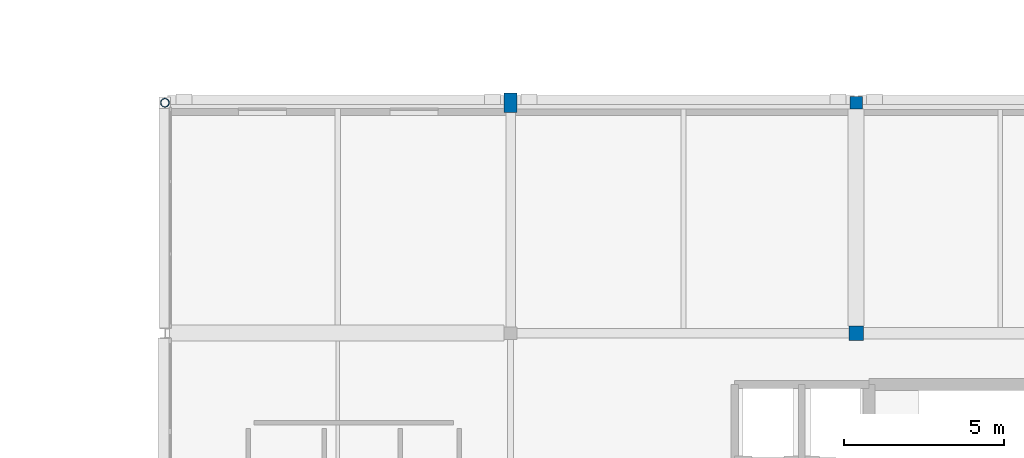
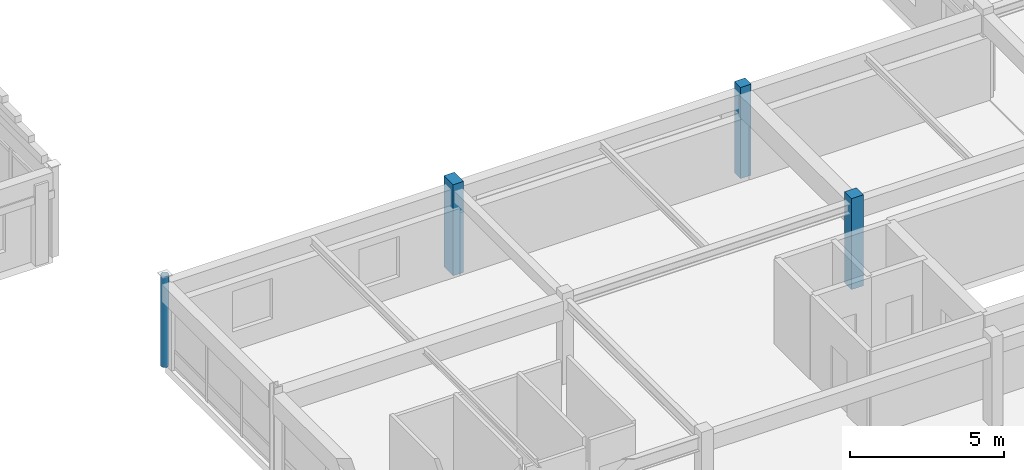
# One storey, part 7 of 52: 4 columns.
"""IFC4 building model written with IfcOpenShell, lengths in metres."""

from ifc_helpers import new_model, si_unit, direction, frame, origin, origin_2d, place, context, subcontext, project, spatial, rectangle, hollow_circle, extrude, material, material_profile, profile_set, type_object, element, save


model = new_model("IFC4")

# Units and contexts
model_context = context("Model", 3, precision=1e-05, world=origin(), true_north=direction((0.0, 1.0)))
body_context = subcontext(model_context, "Body", "Model", "MODEL_VIEW")
ifc_project = project(units=[si_unit("LENGTHUNIT", "METRE"), si_unit("AREAUNIT", "SQUARE_METRE"), si_unit("VOLUMEUNIT", "CUBIC_METRE"), si_unit("PLANEANGLEUNIT", "RADIAN"), si_unit("MASSUNIT", "GRAM", prefix="KILO")], contexts=[model_context])

# Site, building, storey
site_placement = place(None, origin())
site = spatial("IfcSite", under=ifc_project, at=site_placement, CompositionType="ELEMENT")
building_placement = place(site_placement, origin())
building = spatial("IfcBuilding", under=site, at=building_placement, Name="Clarverna Civic Hall", CompositionType="ELEMENT")
storey_placement = place(building_placement, frame((0.0, 0.0, 16.800048828125)))
storey = spatial("IfcBuildingStorey", under=building, at=storey_placement, Name="L04", CompositionType="ELEMENT", Elevation=16.800048828125)

# Columns
ifc_material_1 = material(Name="Concrete C35/45", Category="concrete")
ifc_material_profile_1 = material_profile(ifc_material_1, rectangle(XDim=0.449951171875, YDim=0.449951171875, at=origin_2d()), Name="RC 450x450")
ifc_profile_set_1 = profile_set([ifc_material_profile_1], Name="Concrete C35/45")
column_type_1 = type_object("IfcColumnType", Name="C-RC13", PredefinedType="COLUMN", material=ifc_profile_set_1)
column_1_placement = place(storey_placement, frame((88.199951171875, 87.800048828125, 0.0), z_axis=(0.0, 0.0, 1.0), x_axis=(1.0, 0.0, 0.0)))
element("IfcColumn", 1, at=column_1_placement, inside=storey, type_object=column_type_1, Name="C-RC13-019", PredefinedType="COLUMN", context=body_context, shape_type="SweptSolid", body=[
    extrude(rectangle(XDim=0.449951171875, YDim=0.449951171875, at=origin_2d()), origin(), (0.0, 0.0, 1.0), 3.599853515625),
])
ifc_material_profile_2 = material_profile(ifc_material_1, rectangle(XDim=0.39990234375, YDim=0.39990234375, at=origin_2d()), Name="RC 400x400")
ifc_profile_set_2 = profile_set([ifc_material_profile_2], Name="Concrete C35/45")
column_type_2 = type_object("IfcColumnType", Name="C-RC14", PredefinedType="COLUMN", material=ifc_profile_set_2)
column_2_placement = place(storey_placement, frame((88.199951171875, 95.0, 0.0), z_axis=(0.0, 0.0, 1.0), x_axis=(1.0, 0.0, 0.0)))
element("IfcColumn", 2, at=column_2_placement, inside=storey, type_object=column_type_2, Name="C-RC14-002", PredefinedType="COLUMN", context=body_context, shape_type="SweptSolid", body=[
    extrude(rectangle(XDim=0.39990234375, YDim=0.39990234375, at=origin_2d()), origin(), (0.0, 0.0, 1.0), 3.599853515625),
])
ifc_material_profile_3 = material_profile(ifc_material_1, rectangle(XDim=0.39990234375, YDim=0.60009765625, at=origin_2d()), Name="RC 400x600")
ifc_profile_set_3 = profile_set([ifc_material_profile_3], Name="Concrete C35/45")
column_type_3 = type_object("IfcColumnType", Name="C-RC19", PredefinedType="COLUMN", material=ifc_profile_set_3)
column_3_placement = place(storey_placement, frame((77.39990234375, 95.0, 0.0), z_axis=(0.0, 0.0, 1.0), x_axis=(1.0, 0.0, 0.0)))
element("IfcColumn", 3, at=column_3_placement, inside=storey, type_object=column_type_3, Name="C-RC19-002", PredefinedType="COLUMN", context=body_context, shape_type="SweptSolid", body=[
    extrude(rectangle(XDim=0.39990234375, YDim=0.60009765625, at=origin_2d()), origin(), (0.0, 0.0, 1.0), 3.599853515625),
])
ifc_material_2 = material(Name="Steel S355", Category="steel")
ifc_material_profile_4 = material_profile(ifc_material_2, hollow_circle(Radius=0.136474609375, WallThickness=0.012451171875, at=origin_2d()), Name="CHS 273.0x12.5")
ifc_profile_set_4 = profile_set([ifc_material_profile_4], Name="Steel S355")
column_type_4 = type_object("IfcColumnType", Name="C-ST14", PredefinedType="COLUMN", material=ifc_profile_set_4)
column_4_placement = place(storey_placement, frame((66.60009765625, 95.0, 0.0), z_axis=(0.0, 0.0, 1.0), x_axis=(1.0, 0.0, 0.0)))
element("IfcColumn", 4, at=column_4_placement, inside=storey, type_object=column_type_4, Name="C-ST14-006", PredefinedType="COLUMN", context=body_context, shape_type="SweptSolid", body=[
    extrude(hollow_circle(Radius=0.136474609375, WallThickness=0.012451171875, at=origin_2d()), origin(), (0.0, 0.0, 1.0), 3.599853515625),
])

save(model, "model.ifc")
